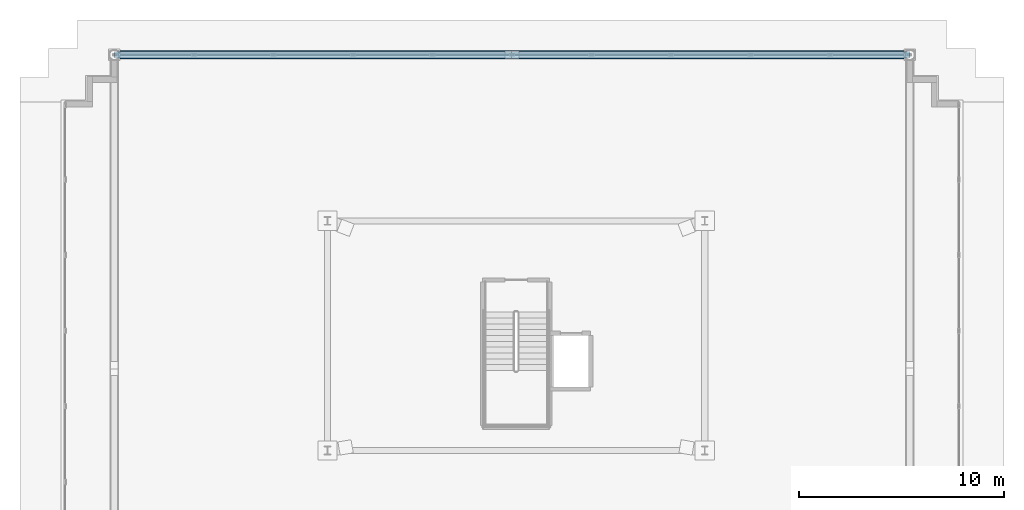
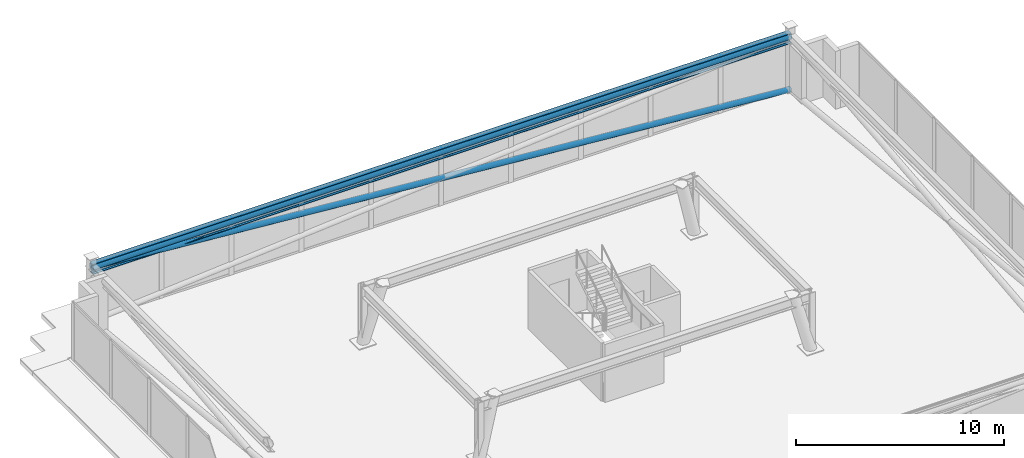
# One storey, part 12 of 23: 2 members, 1 beam.
"""IFC4 building model written with IfcOpenShell, lengths in metres."""

from ifc_helpers import new_model, si_unit, direction, frame, origin, origin_2d, place, context, subcontext, project, spatial, hollow_circle, i_section, extrude, material, material_profile, profile_set, type_object, element, save


model = new_model("IFC4")

# Units and contexts
model_context = context("Model", 3, precision=1e-05, world=origin(), true_north=direction((0.0, 1.0)))
body_context = subcontext(model_context, "Body", "Model", "MODEL_VIEW")
ifc_project = project(units=[si_unit("LENGTHUNIT", "METRE"), si_unit("AREAUNIT", "SQUARE_METRE"), si_unit("VOLUMEUNIT", "CUBIC_METRE"), si_unit("PLANEANGLEUNIT", "RADIAN"), si_unit("MASSUNIT", "GRAM", prefix="KILO")], contexts=[model_context])

# Site, building, storey
site_placement = place(None, origin())
site = spatial("IfcSite", under=ifc_project, at=site_placement, CompositionType="ELEMENT")
building_placement = place(site_placement, origin())
building = spatial("IfcBuilding", under=site, at=building_placement, Name="Qobustan Lattice House", CompositionType="ELEMENT")
storey_placement = place(building_placement, frame((0.0, 0.0, 270.199951171875)))
storey = spatial("IfcBuildingStorey", under=building, at=storey_placement, Name="L76", CompositionType="ELEMENT", Elevation=270.199951171875)

# Beam
ifc_material_1 = material(Name="Steel S355", Category="steel")
ifc_material_profile_1 = material_profile(ifc_material_1, i_section(OverallWidth=0.300048828125, OverallDepth=0.60009765625, WebThickness=0.015380859375, FlangeThickness=0.030029296875, FilletRadius=0.027099609375, at=origin_2d()), Name="HEB600")
ifc_profile_set_1 = profile_set([ifc_material_profile_1], Name="Steel S355")
beam_type = type_object("IfcBeamType", Name="BM-POD-HEB600", PredefinedType="USERDEFINED", material=ifc_profile_set_1)
beam_placement = place(storey_placement, frame((19.199951171875, 13.699951171875, 3.10009765625), z_axis=(-1.0, 0.0, 0.0), x_axis=(0.0, -1.0, 0.0)))
element("IfcBeam", 1, at=beam_placement, inside=storey, type_object=beam_type, Name="L76 crown perimeter ring beam 3", ObjectType="GIRDER", PredefinedType="USERDEFINED", context=body_context, shape_type="SweptSolid", body=[
    extrude(i_section(OverallWidth=0.300048828125, OverallDepth=0.60009765625, WebThickness=0.015380859375, FlangeThickness=0.030029296875, FilletRadius=0.027099609375, at=origin_2d()), origin(), (0.0, 0.0, 1.0), 38.800048828125),
])

# Members
ifc_material_2 = material(Name="Steel S355", Category="steel")
ifc_material_profile_2 = material_profile(ifc_material_2, hollow_circle(Radius=0.161865234375, WallThickness=0.012451171875, at=origin_2d()), Name="CHS323.9x12.5")
ifc_profile_set_2 = profile_set([ifc_material_profile_2], Name="Steel S355")
member_type_1 = type_object("IfcMemberType", Name="MEM-CBR-CHS324", PredefinedType="BRACE", material=ifc_profile_set_2)
member_1_placement = place(storey_placement, frame((19.199951171875, 13.699951171875, 0.01513671875), z_axis=(-0.996689938063, 0.0, 0.081296785698), x_axis=(0.0, -1.0, 0.0)))
element("IfcMember", 2, at=member_1_placement, inside=storey, type_object=member_type_1, Name="L76 crown diagrid continuous brace 3A", PredefinedType="BRACE", context=body_context, shape_type="SweptSolid", body=[
    extrude(hollow_circle(Radius=0.161865234375, WallThickness=0.012451171875, at=origin_2d()), origin(), (0.0, 0.0, 1.0), 38.928955078125),
])
ifc_material_3 = material(Name="Steel S355", Category="steel")
ifc_material_profile_3 = material_profile(ifc_material_3, hollow_circle(Radius=0.203125, WallThickness=0.01611328125, at=origin_2d()), Name="CHS406.4x16")
ifc_profile_set_3 = profile_set([ifc_material_profile_3], Name="Steel S355")
member_type_2 = type_object("IfcMemberType", Name="MEM-RNG-CHS406", PredefinedType="CHORD", material=ifc_profile_set_3)
member_2_placement = place(storey_placement, frame((19.199951171875, 13.699951171875, 3.179931640625), z_axis=(-1.0, 0.0, 0.0), x_axis=(0.0, -1.0, 0.0)))
element("IfcMember", 3, at=member_2_placement, inside=storey, type_object=member_type_2, Name="L76 crown ring chord 3", PredefinedType="CHORD", context=body_context, shape_type="SweptSolid", body=[
    extrude(hollow_circle(Radius=0.203125, WallThickness=0.01611328125, at=origin_2d()), origin(), (0.0, 0.0, 1.0), 38.800048828125),
])

save(model, "model.ifc")
